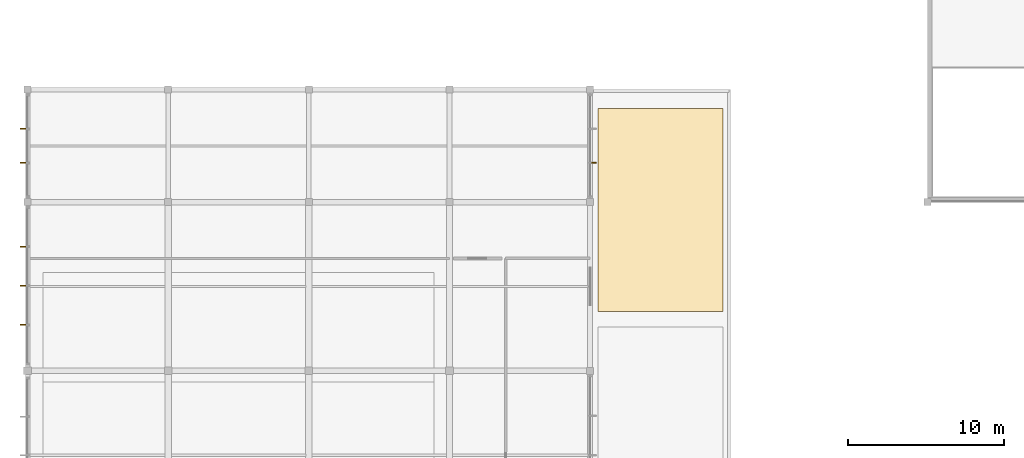
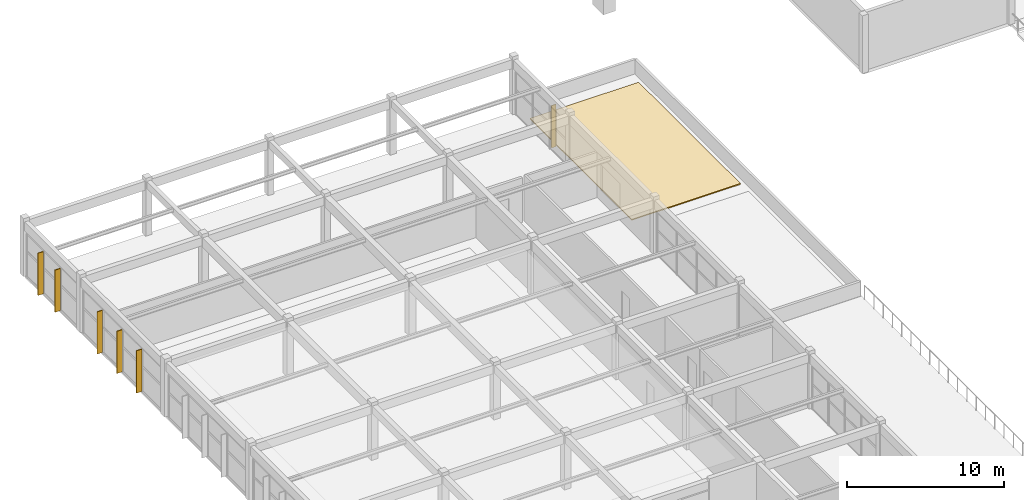
# One storey, part 81 of 89: 6 shading devices, 1 covering.
"""IFC4 building model written with IfcOpenShell, lengths in metres."""

from ifc_helpers import new_model, si_unit, direction, frame, origin, origin_2d, place, context, subcontext, project, spatial, polyline, rectangle, outline, extrude, material, layer, layer_set, type_object, element, save


model = new_model("IFC4")

# Units and contexts
model_context = context("Model", 3, precision=1e-05, world=origin(), true_north=direction((0.0, 1.0)))
body_context = subcontext(model_context, "Body", "Model", "MODEL_VIEW")
ifc_project = project(units=[si_unit("LENGTHUNIT", "METRE"), si_unit("AREAUNIT", "SQUARE_METRE"), si_unit("VOLUMEUNIT", "CUBIC_METRE"), si_unit("PLANEANGLEUNIT", "RADIAN"), si_unit("MASSUNIT", "GRAM", prefix="KILO")], contexts=[model_context])

# Site, building, storey
site_placement = place(None, origin())
site = spatial("IfcSite", under=ifc_project, at=site_placement, CompositionType="ELEMENT")
building_placement = place(site_placement, origin())
building = spatial("IfcBuilding", under=site, at=building_placement, Name="Suirenkawa Promenade Aquatics Centre", CompositionType="ELEMENT")
storey_placement = place(building_placement, frame((0.0, 0.0, 9.60009765625)))
storey = spatial("IfcBuildingStorey", under=building, at=storey_placement, Name="L02", CompositionType="ELEMENT", Elevation=9.60009765625)

# Covering
ifc_material_1 = material(Name="Encapsulated mineral-wool cool-roof build-up")
ifc_layer = layer(ifc_material_1, 0.080078125, Name="Encapsulated mineral-wool cool-roof build-up")
ifc_layer_set = layer_set([ifc_layer], Name="Encapsulated mineral-wool cool-roof build-up")
covering_type = type_object("IfcCoveringType", Name="CVT-ROOF-COOL", PredefinedType="ROOFING", material=ifc_layer_set)
covering_placement = place(storey_placement, origin())
element("IfcCovering", 1, at=covering_placement, inside=storey, type_object=covering_type, Name="Cool roof membrane RF-02 CVR-012", PredefinedType="ROOFING", context=body_context, shape_type="SweptSolid", body=[
    extrude(outline(polyline([(36.5, 101.0), (44.5, 101.0), (44.5, 114.0), (36.5, 114.0), (36.5, 101.0)])), origin(), (0.0, 0.0, 1.0), 0.079833984375),
])

# Shading devices
ifc_material_2 = material(Name="Anodised aluminium 6063-T6", Category="aluminium")
shading_device_type_1 = type_object("IfcShadingDeviceType", Name="SDT-KOUSHI-320", PredefinedType="USERDEFINED", material=ifc_material_2)
shading_device_placement = place(storey_placement, frame((36.23193359375, 110.516357421875, 0.039794921875), z_axis=(0.0, 0.0, 1.0), x_axis=(1.0, 0.0, 0.0)))
element("IfcShadingDevice", 2, at=shading_device_placement, inside=storey, type_object=shading_device_type_1, Name="Vertical solar shading fin FN-02 FIN-0193", ObjectType="FIN", PredefinedType="USERDEFINED", context=body_context, shape_type="SweptSolid", body=[
    extrude(rectangle(XDim=0.320068359375, YDim=0.06005859375, at=origin_2d()), origin(), (0.0, 0.0, 1.0), 3.2900390625),
])
shading_device_type_2 = type_object("IfcShadingDeviceType", Name="SDT-KOUSHI-400", PredefinedType="USERDEFINED", material=ifc_material_2)
for number, where, z_axis, x_axis, name in (
    (3, (-0.287109375, 100.1494140625, 0.039794921875), (0.0, 0.0, 1.0), (-1.0, 0.0, 0.0), "Vertical solar shading fin FN-01 FIN-0187"),
    (4, (-0.287109375, 102.64990234375, 0.039794921875), (0.0, 0.0, 1.0), (-1.0, 0.0, 0.0), "Vertical solar shading fin FN-01 FIN-0188"),
    (5, (-0.287109375, 105.150390625, 0.039794921875), (0.0, 0.0, 1.0), (-1.0, 0.0, 0.0), "Vertical solar shading fin FN-01 FIN-0189"),
    (6, (-0.287109375, 110.516357421875, 0.039794921875), (0.0, 0.0, 1.0), (-1.0, 0.0, 0.0), "Vertical solar shading fin FN-01 FIN-0190"),
    (7, (-0.287109375, 112.68359375, 0.039794921875), (0.0, 0.0, 1.0), (-1.0, 0.0, 0.0), "Vertical solar shading fin FN-01 FIN-0191"),
):
    element("IfcShadingDevice", number, at=place(storey_placement, frame(where, z_axis=z_axis, x_axis=x_axis)), inside=storey, type_object=shading_device_type_2, Name=name, ObjectType="FIN", PredefinedType="USERDEFINED", context=body_context, shape_type="SweptSolid", body=[
        extrude(rectangle(XDim=0.39990234375, YDim=0.06005859375, at=origin_2d()), origin(), (0.0, 0.0, 1.0), 3.2900390625),
    ])

save(model, "model.ifc")
